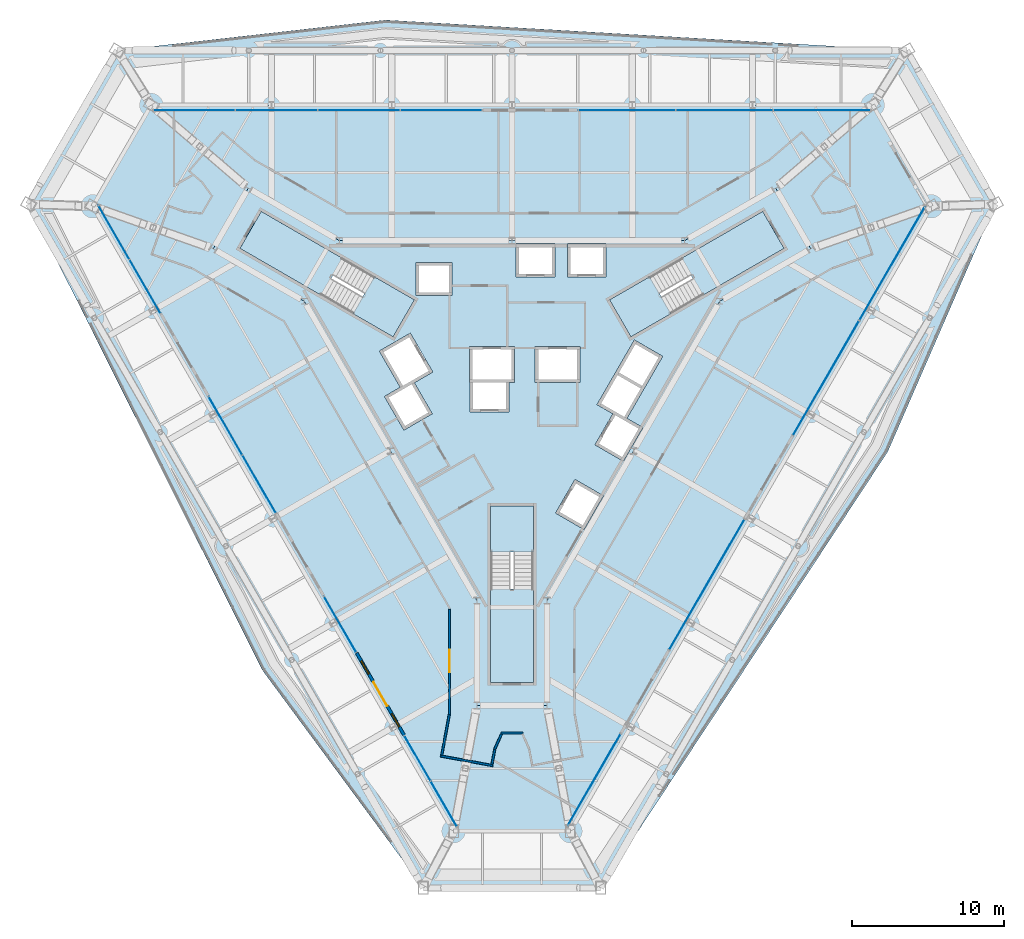
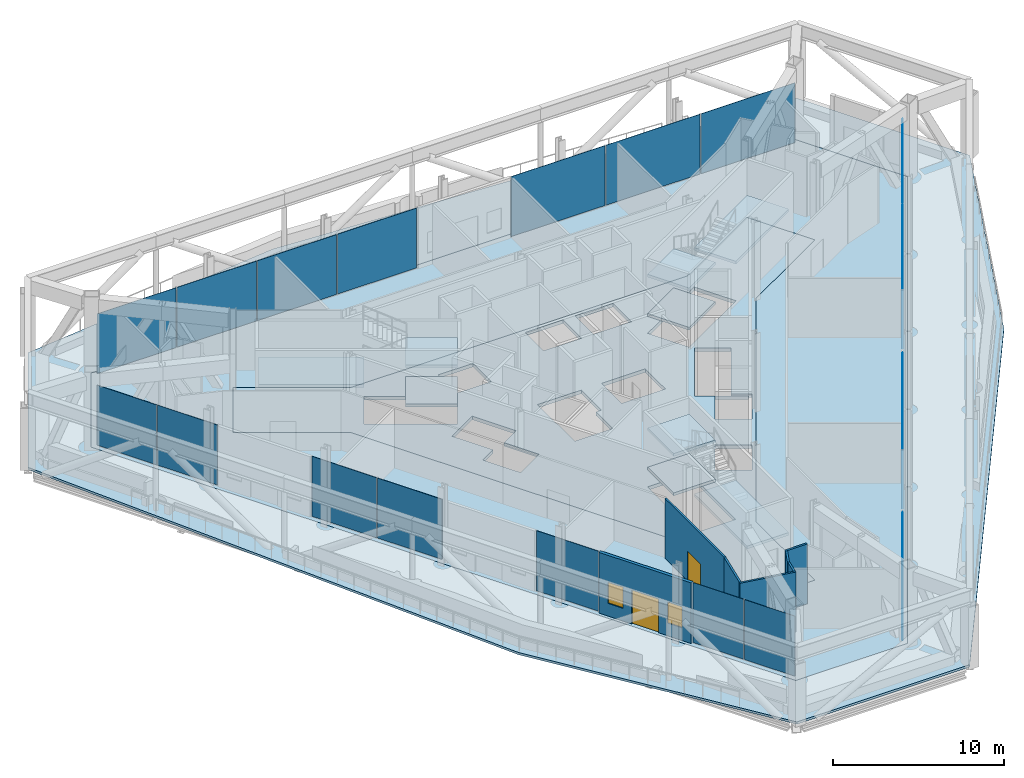
# One storey, part 15 of 26: 18 plates, 12 slabs, 7 walls, 2 doors, 2 windows, 4 openings, 12 elements without a shape of their own.
"""IFC4 building model written with IfcOpenShell, lengths in metres."""

from ifc_helpers import new_model, si_unit, direction, frame, frame_2d, origin, origin_2d, place, context, subcontext, project, spatial, polyline, rectangle, outline, extrude, material, layer, layer_set, type_object, element, fill, aggregate, save


model = new_model("IFC4")

# Units and contexts
model_context = context("Model", 3, precision=1e-05, world=origin(), true_north=direction((0.0, 1.0)))
body_context = subcontext(model_context, "Body", "Model", "MODEL_VIEW")
ifc_project = project(units=[si_unit("LENGTHUNIT", "METRE"), si_unit("AREAUNIT", "SQUARE_METRE"), si_unit("VOLUMEUNIT", "CUBIC_METRE"), si_unit("PLANEANGLEUNIT", "RADIAN"), si_unit("MASSUNIT", "GRAM", prefix="KILO")], contexts=[model_context])

# Site, building, storey
site_placement = place(None, origin())
site = spatial("IfcSite", under=ifc_project, at=site_placement, CompositionType="ELEMENT")
building_placement = place(site_placement, origin())
building = spatial("IfcBuilding", under=site, at=building_placement, Name="Verrane Prism Tower", CompositionType="ELEMENT")
storey_placement = place(building_placement, frame((0.0, 0.0, 87.199951171875)))
storey = spatial("IfcBuildingStorey", under=building, at=storey_placement, Name="L20", CompositionType="ELEMENT", Elevation=87.199951171875)

# Slabs
ifc_material_1 = material(Name="Concrete C35/45", Category="concrete")
ifc_layer_1 = layer(ifc_material_1, 0.159912109375)
ifc_layer_set_1 = layer_set([ifc_layer_1], Name="Composite floor slab")
slab_type_1 = type_object("IfcSlabType", Name="Composite floor slab", PredefinedType="FLOOR", material=ifc_layer_set_1)
slab_1_placement = place(storey_placement, frame((0.0, 0.0, -0.159912109375)))
element("IfcSlab", 1, at=slab_1_placement, inside=storey, type_object=slab_type_1, Name="Floor slab L20", PredefinedType="FLOOR", context=body_context, shape_type="SweptSolid", body=[
    extrude(outline(polyline([(-3.7685546875, -29.57470703125), (-27.496826171875, 11.523681640625), (-23.728271484375, 18.051025390625), (23.728271484375, 18.051025390625), (27.496826171875, 11.523681640625), (3.7685546875, -29.57470703125), (-3.7685546875, -29.57470703125)]), holes=[polyline([(17.300048828125, 12.639892578125), (11.330078125, 9.199951171875), (0.0, 9.199951171875), (-11.330078125, 9.199951171875), (-17.300048828125, 12.639892578125), (-19.60009765625, 8.659912109375), (-13.6298828125, 5.219970703125), (-7.969970703125, -4.60009765625), (-2.300048828125, -14.419921875), (-2.300048828125, -21.300048828125), (2.300048828125, -21.300048828125), (2.300048828125, -14.419921875), (7.969970703125, -4.60009765625), (13.6298828125, 5.219970703125), (19.60009765625, 8.659912109375), (17.300048828125, 12.639892578125)])]), origin(), (0.0, 0.0, 1.0), 0.159912109375),
])
ifc_material_2 = material(Name="Concrete C40/50", Category="concrete")
ifc_layer_2 = layer(ifc_material_2, 0.25)
ifc_layer_set_2 = layer_set([ifc_layer_2], Name="Core floor slab 250 concrete C40/50")
slab_type_2 = type_object("IfcSlabType", Name="Core floor slab 250 concrete C40/50", PredefinedType="FLOOR", material=ifc_layer_set_2)
slab_2_placement = place(storey_placement, frame((0.0, 0.0, -0.25)))
element("IfcSlab", 2, at=slab_2_placement, inside=storey, type_object=slab_type_2, Name="Core floor L20", PredefinedType="FLOOR", context=body_context, shape_type="SweptSolid", body=[
    extrude(outline(polyline([(13.6298828125, 5.219970703125), (19.60009765625, 8.659912109375), (17.300048828125, 12.639892578125), (11.330078125, 9.199951171875), (0.0, 9.199951171875), (-11.330078125, 9.199951171875), (-17.300048828125, 12.639892578125), (-19.60009765625, 8.659912109375), (-13.6298828125, 5.219970703125), (-7.969970703125, -4.60009765625), (-2.300048828125, -14.419921875), (-2.300048828125, -21.300048828125), (2.300048828125, -21.300048828125), (2.300048828125, -14.419921875), (7.969970703125, -4.60009765625), (13.6298828125, 5.219970703125)]), holes=[polyline([(1.39990234375, -8.199951171875), (1.39990234375, -13.639892578125), (-1.39990234375, -13.639892578125), (-1.39990234375, -8.199951171875), (1.39990234375, -8.199951171875)]), polyline([(0.1650390625, 2.25), (0.1650390625, -0.10009765625), (-0.205078125, -0.10009765625), (-0.205078125, -2.050048828125), (-2.7548828125, -2.050048828125), (-2.7548828125, -0.10009765625), (-2.784912109375, -0.10009765625), (-2.784912109375, 2.25), (0.1650390625, 2.25)]), polyline([(-7.801025390625, 2.887939453125), (-12.512939453125, 5.60791015625), (-11.113037109375, 8.031982421875), (-6.40087890625, 5.31201171875), (-7.801025390625, 2.887939453125)]), polyline([(-6.284912109375, 5.610107421875), (-6.284912109375, 7.760009765625), (-3.93505859375, 7.760009765625), (-3.93505859375, 5.610107421875), (-6.284912109375, 5.610107421875)]), polyline([(2.81494140625, 6.81005859375), (0.264892578125, 6.81005859375), (0.264892578125, 8.9599609375), (2.81494140625, 8.9599609375), (2.81494140625, 6.81005859375)]), polyline([(4.717041015625, -9.75), (2.85498046875, -8.675048828125), (4.1298828125, -6.466064453125), (5.991943359375, -7.541015625), (4.717041015625, -9.75)]), polyline([(8.303955078125, -3.136962890625), (5.575927734375, -1.56201171875), (8.02587890625, 2.680908203125), (9.887939453125, 1.60595703125), (7.5380859375, -2.464111328125), (8.576904296875, -3.06396484375), (7.302001953125, -5.27197265625), (5.43994140625, -4.197021484375), (6.614990234375, -2.162109375), (8.303955078125, -3.136962890625)]), polyline([(1.52490234375, -0.10009765625), (1.52490234375, 2.25), (4.47509765625, 2.25), (4.47509765625, -0.10009765625), (1.52490234375, -0.10009765625)]), polyline([(11.113037109375, 8.031982421875), (12.512939453125, 5.60791015625), (7.801025390625, 2.887939453125), (6.40087890625, 5.31201171875), (11.113037109375, 8.031982421875)]), polyline([(3.625, 6.81005859375), (3.625, 8.9599609375), (6.175048828125, 8.9599609375), (6.175048828125, 6.81005859375), (3.625, 6.81005859375)]), polyline([(-5.23095703125, -2.159912109375), (-7.093017578125, -3.235107421875), (-8.367919921875, -1.02587890625), (-7.3291015625, -0.426025390625), (-8.7041015625, 1.955078125), (-6.66796875, 3.1298828125), (-5.193115234375, 0.574951171875), (-6.406005859375, -0.125), (-5.23095703125, -2.159912109375)])]), origin(), (0.0, 0.0, 1.0), 0.25),
])

# Curtain wall, plates
ifc_material_3 = material(Name="Aluminium framed insulated glazing", Category="aluminium")
curtain_wall_type_1 = type_object("IfcCurtainWallType", Name="Curtain wall CW-C 4200 module", PredefinedType="NOTDEFINED", material=ifc_material_3)
curtain_wall_1_placement = place(storey_placement, origin())
curtain_wall_1 = element("IfcCurtainWall", 3, at=curtain_wall_1_placement, inside=storey, type_object=curtain_wall_type_1, Name="Refuge lounge glazing south-west face L20 1", PredefinedType="NOTDEFINED")
ifc_material_4 = material(Name="Low-iron insulating glass unit", Category="glass")
ifc_layer_3 = layer(ifc_material_4, 0.02392578125)
ifc_layer_set_3 = layer_set([ifc_layer_3], Name="Glazing panel IGU 24")
plate_type_1 = type_object("IfcPlateType", Name="Glazing panel IGU 24", PredefinedType="CURTAIN_PANEL", material=ifc_layer_set_3)
plate_1_placement = place(storey_placement, frame((-26.11572265625, 9.731689453125, 0.050048828125), z_axis=(0.0, 0.0, 1.0), x_axis=(0.500001968757, -0.866024267119, 0.0)))
plate_1 = element("IfcPlate", 4, at=plate_1_placement, type_object=plate_type_1, Name="CW20.4.1 panel 1", PredefinedType="CURTAIN_PANEL", context=body_context, shape_type="SweptSolid", body=[
    extrude(rectangle(XDim=4.03857421875, YDim=0.02392578125, at=origin_2d()), origin(), (0.0, 0.0, 1.0), 4.2724609375),
])
plate_2_placement = place(storey_placement, frame((-24.0712890625, 6.19091796875, 0.050048828125), z_axis=(0.0, 0.0, 1.0), x_axis=(0.500001968757, -0.866024267119, 0.0)))
plate_2 = element("IfcPlate", 5, at=plate_2_placement, type_object=plate_type_1, Name="CW20.4.1 panel 2", PredefinedType="CURTAIN_PANEL", context=body_context, shape_type="SweptSolid", body=[
    extrude(rectangle(XDim=4.03857421875, YDim=0.02392578125, at=origin_2d()), origin(), (0.0, 0.0, 1.0), 4.2724609375),
])
aggregate(curtain_wall_1, [plate_1, plate_2])

curtain_wall_2_placement = place(storey_placement, origin())
curtain_wall_2 = element("IfcCurtainWall", 6, at=curtain_wall_2_placement, inside=storey, type_object=curtain_wall_type_1, Name="Refuge lounge glazing south-west face L20 2", PredefinedType="NOTDEFINED")
plate_3_placement = place(storey_placement, frame((-18.79248046875, -2.95263671875, 0.050048828125), z_axis=(0.0, 0.0, 1.0), x_axis=(0.499998475697, -0.866026283839, 0.0)))
plate_3 = element("IfcPlate", 7, at=plate_3_placement, type_object=plate_type_1, Name="CW20.4.2 panel 1", PredefinedType="CURTAIN_PANEL", context=body_context, shape_type="SweptSolid", body=[
    extrude(rectangle(XDim=4.357421875, YDim=0.02392578125, at=origin_2d()), origin(), (0.0, 0.0, 1.0), 4.2724609375),
])
plate_4_placement = place(storey_placement, frame((-16.588623046875, -6.76953125, 0.050048828125), z_axis=(0.0, 0.0, 1.0), x_axis=(0.499998475697, -0.866026283839, 0.0)))
plate_4 = element("IfcPlate", 8, at=plate_4_placement, type_object=plate_type_1, Name="CW20.4.2 panel 2", PredefinedType="CURTAIN_PANEL", context=body_context, shape_type="SweptSolid", body=[
    extrude(rectangle(XDim=4.357421875, YDim=0.02392578125, at=origin_2d()), origin(), (0.0, 0.0, 1.0), 4.2724609375),
])
aggregate(curtain_wall_2, [plate_3, plate_4])

# Curtain wall, plate
curtain_wall_3_placement = place(storey_placement, origin())
curtain_wall_3 = element("IfcCurtainWall", 9, at=curtain_wall_3_placement, inside=storey, type_object=curtain_wall_type_1, Name="Refuge lounge glazing south-west face L20 3", PredefinedType="NOTDEFINED")
plate_5_placement = place(storey_placement, frame((-11.273681640625, -15.9755859375, 0.050048828125), z_axis=(0.0, 0.0, 1.0), x_axis=(0.499995957157, -0.866027737909, 0.0)))
plate_5 = element("IfcPlate", 10, at=plate_5_placement, type_object=plate_type_1, Name="CW20.4.3 panel 1", PredefinedType="CURTAIN_PANEL", context=body_context, shape_type="SweptSolid", body=[
    extrude(rectangle(XDim=4.183349609375, YDim=0.02392578125, at=origin_2d()), origin(), (0.0, 0.0, 1.0), 4.2724609375),
])
aggregate(curtain_wall_3, [plate_5])

# Curtain wall, plates
curtain_wall_4_placement = place(storey_placement, origin())
curtain_wall_4 = element("IfcCurtainWall", 11, at=curtain_wall_4_placement, inside=storey, type_object=curtain_wall_type_1, Name="Refuge lounge glazing south-west face L20 4", PredefinedType="NOTDEFINED")
plate_6_placement = place(storey_placement, frame((-6.197265625, -24.768310546875, 0.050048828125), z_axis=(0.0, 0.0, 1.0), x_axis=(0.500000416101, -0.866025163548, 0.0)))
plate_6 = element("IfcPlate", 12, at=plate_6_placement, type_object=plate_type_1, Name="CW20.4.4 panel 1", PredefinedType="CURTAIN_PANEL", context=body_context, shape_type="SweptSolid", body=[
    extrude(rectangle(XDim=3.402587890625, YDim=0.02392578125, at=origin_2d()), origin(), (0.0, 0.0, 1.0), 4.2724609375),
])
plate_7_placement = place(storey_placement, frame((-4.470947265625, -27.758056640625, 0.050048828125), z_axis=(0.0, 0.0, 1.0), x_axis=(0.500000416101, -0.866025163548, 0.0)))
plate_7 = element("IfcPlate", 13, at=plate_7_placement, type_object=plate_type_1, Name="CW20.4.4 panel 2", PredefinedType="CURTAIN_PANEL", context=body_context, shape_type="SweptSolid", body=[
    extrude(rectangle(XDim=3.402587890625, YDim=0.02392578125, at=origin_2d()), origin(), (0.0, 0.0, 1.0), 4.2724609375),
])
aggregate(curtain_wall_4, [plate_6, plate_7])

ifc_material_5 = material(Name="Aluminium framed insulated glazing", Category="aluminium")
curtain_wall_type_2 = type_object("IfcCurtainWallType", Name="Curtain wall CW-B 5600 module", PredefinedType="NOTDEFINED", material=ifc_material_5)
curtain_wall_5_placement = place(storey_placement, origin())
curtain_wall_5 = element("IfcCurtainWall", 14, at=curtain_wall_5_placement, inside=storey, type_object=curtain_wall_type_2, Name="Refuge lounge glazing north face L20 1", PredefinedType="NOTDEFINED")
ifc_material_6 = material(Name="Low-iron insulating glass unit", Category="glass")
ifc_layer_4 = layer(ifc_material_6, 0.028076171875)
ifc_layer_set_4 = layer_set([ifc_layer_4], Name="Glazing panel IGU 28")
plate_type_2 = type_object("IfcPlateType", Name="Glazing panel IGU 28", PredefinedType="CURTAIN_PANEL", material=ifc_layer_set_4)
plate_8_placement = place(storey_placement, frame((20.3359375, 17.7509765625, 0.06005859375), z_axis=(0.0, 0.0, 1.0), x_axis=(-1.0, 0.0, 0.0)))
plate_8 = element("IfcPlate", 15, at=plate_8_placement, type_object=plate_type_2, Name="CW20.2.1 panel 1", PredefinedType="CURTAIN_PANEL", context=body_context, shape_type="SweptSolid", body=[
    extrude(rectangle(XDim=6.318359375, YDim=0.028076171875, at=origin_2d()), origin(), (0.0, 0.0, 1.0), 4.262451171875),
])
plate_9_placement = place(storey_placement, frame((13.942626953125, 17.7509765625, 0.06005859375), z_axis=(0.0, 0.0, 1.0), x_axis=(-1.0, 0.0, 0.0)))
plate_9 = element("IfcPlate", 16, at=plate_9_placement, type_object=plate_type_2, Name="CW20.2.1 panel 2", PredefinedType="CURTAIN_PANEL", context=body_context, shape_type="SweptSolid", body=[
    extrude(rectangle(XDim=6.348388671875, YDim=0.028076171875, at=origin_2d()), origin(), (0.0, 0.0, 1.0), 4.262451171875),
])
plate_10_placement = place(storey_placement, frame((7.549072265625, 17.7509765625, 0.06005859375), z_axis=(0.0, 0.0, 1.0), x_axis=(-1.0, 0.0, 0.0)))
plate_10 = element("IfcPlate", 17, at=plate_10_placement, type_object=plate_type_2, Name="CW20.2.1 panel 3", PredefinedType="CURTAIN_PANEL", context=body_context, shape_type="SweptSolid", body=[
    extrude(rectangle(XDim=6.318359375, YDim=0.028076171875, at=origin_2d()), origin(), (0.0, 0.0, 1.0), 4.262451171875),
])
aggregate(curtain_wall_5, [plate_8, plate_9, plate_10])

curtain_wall_6_placement = place(storey_placement, origin())
curtain_wall_6 = element("IfcCurtainWall", 18, at=curtain_wall_6_placement, inside=storey, type_object=curtain_wall_type_2, Name="Refuge lounge glazing north face L20 2", PredefinedType="NOTDEFINED")
plate_11_placement = place(storey_placement, frame((-4.648193359375, 17.7509765625, 0.06005859375), z_axis=(0.0, 0.0, 1.0), x_axis=(-1.0, 0.0, 0.0)))
plate_11 = element("IfcPlate", 19, at=plate_11_placement, type_object=plate_type_2, Name="CW20.2.2 panel 1", PredefinedType="CURTAIN_PANEL", context=body_context, shape_type="SweptSolid", body=[
    extrude(rectangle(XDim=5.316162109375, YDim=0.028076171875, at=origin_2d()), origin(), (0.0, 0.0, 1.0), 4.262451171875),
])
plate_12_placement = place(storey_placement, frame((-10.039306640625, 17.7509765625, 0.06005859375), z_axis=(0.0, 0.0, 1.0), x_axis=(-1.0, 0.0, 0.0)))
plate_12 = element("IfcPlate", 20, at=plate_12_placement, type_object=plate_type_2, Name="CW20.2.2 panel 2", PredefinedType="CURTAIN_PANEL", context=body_context, shape_type="SweptSolid", body=[
    extrude(rectangle(XDim=5.34619140625, YDim=0.028076171875, at=origin_2d()), origin(), (0.0, 0.0, 1.0), 4.262451171875),
])
plate_13_placement = place(storey_placement, frame((-15.44580078125, 17.7509765625, 0.06005859375), z_axis=(0.0, 0.0, 1.0), x_axis=(-1.0, 0.0, 0.0)))
plate_13 = element("IfcPlate", 21, at=plate_13_placement, type_object=plate_type_2, Name="CW20.2.2 panel 3", PredefinedType="CURTAIN_PANEL", context=body_context, shape_type="SweptSolid", body=[
    extrude(rectangle(XDim=5.34619140625, YDim=0.028076171875, at=origin_2d()), origin(), (0.0, 0.0, 1.0), 4.262451171875),
])
plate_14_placement = place(storey_placement, frame((-20.8369140625, 17.7509765625, 0.06005859375), z_axis=(0.0, 0.0, 1.0), x_axis=(-1.0, 0.0, 0.0)))
plate_14 = element("IfcPlate", 22, at=plate_14_placement, type_object=plate_type_2, Name="CW20.2.2 panel 4", PredefinedType="CURTAIN_PANEL", context=body_context, shape_type="SweptSolid", body=[
    extrude(rectangle(XDim=5.316162109375, YDim=0.028076171875, at=origin_2d()), origin(), (0.0, 0.0, 1.0), 4.262451171875),
])
aggregate(curtain_wall_6, [plate_11, plate_12, plate_13, plate_14])

# Curtain wall, plate
ifc_material_7 = material(Name="Aluminium framed insulated glazing", Category="aluminium")
curtain_wall_type_3 = type_object("IfcCurtainWallType", Name="Curtain wall CW-A 8400 module", PredefinedType="NOTDEFINED", material=ifc_material_7)
curtain_wall_7_placement = place(storey_placement, origin())
curtain_wall_7 = element("IfcCurtainWall", 23, at=curtain_wall_7_placement, inside=storey, type_object=curtain_wall_type_3, Name="Refuge lounge glazing south-east face L20 1", PredefinedType="NOTDEFINED")
ifc_material_8 = material(Name="Low-iron insulating glass unit", Category="glass")
ifc_layer_5 = layer(ifc_material_8, 0.031982421875)
ifc_layer_set_5 = layer_set([ifc_layer_5], Name="Glazing panel IGU 32")
plate_type_3 = type_object("IfcPlateType", Name="Glazing panel IGU 32", PredefinedType="CURTAIN_PANEL", material=ifc_layer_set_5)
plate_15_placement = place(storey_placement, frame((5.372802734375, -26.1962890625, 0.070068359375), z_axis=(0.0, 0.0, 1.0), x_axis=(0.500005737989, 0.86602209093, 0.0)))
plate_15 = element("IfcPlate", 24, at=plate_15_placement, type_object=plate_type_3, Name="CW20.6.1 panel 1", PredefinedType="CURTAIN_PANEL", context=body_context, shape_type="SweptSolid", body=[
    extrude(rectangle(XDim=6.969482421875, YDim=0.031982421875, at=origin_2d()), origin(), (0.0, 0.0, 1.0), 4.25244140625),
])
aggregate(curtain_wall_7, [plate_15])

curtain_wall_8_placement = place(storey_placement, origin())
curtain_wall_8 = element("IfcCurtainWall", 25, at=curtain_wall_8_placement, inside=storey, type_object=curtain_wall_type_3, Name="Refuge lounge glazing south-east face L20 2", PredefinedType="NOTDEFINED")
plate_16_placement = place(storey_placement, frame((12.77587890625, -13.37353515625, 0.070068359375), z_axis=(0.0, 0.0, 1.0), x_axis=(0.500003383835, 0.866023450117, 0.0)))
plate_16 = element("IfcPlate", 26, at=plate_16_placement, type_object=plate_type_3, Name="CW20.6.2 panel 1", PredefinedType="CURTAIN_PANEL", context=body_context, shape_type="SweptSolid", body=[
    extrude(rectangle(XDim=9.84326171875, YDim=0.031982421875, at=origin_2d()), origin(), (0.0, 0.0, 1.0), 4.25244140625),
])
aggregate(curtain_wall_8, [plate_16])

# Curtain wall, plates
curtain_wall_9_placement = place(storey_placement, origin())
curtain_wall_9 = element("IfcCurtainWall", 27, at=curtain_wall_9_placement, inside=storey, type_object=curtain_wall_type_3, Name="Refuge lounge glazing south-east face L20 3", PredefinedType="NOTDEFINED")
plate_17_placement = place(storey_placement, frame((20.59765625, 0.174072265625, 0.070068359375), z_axis=(0.0, 0.0, 1.0), x_axis=(0.499998012664, 0.86602655117, 0.0)))
plate_17 = element("IfcPlate", 28, at=plate_17_placement, type_object=plate_type_3, Name="CW20.6.3 panel 1", PredefinedType="CURTAIN_PANEL", context=body_context, shape_type="SweptSolid", body=[
    extrude(rectangle(XDim=8.6435546875, YDim=0.031982421875, at=origin_2d()), origin(), (0.0, 0.0, 1.0), 4.25244140625),
])
plate_18_placement = place(storey_placement, frame((24.95458984375, 7.720458984375, 0.070068359375), z_axis=(0.0, 0.0, 1.0), x_axis=(0.499998012664, 0.86602655117, 0.0)))
plate_18 = element("IfcPlate", 29, at=plate_18_placement, type_object=plate_type_3, Name="CW20.6.3 panel 2", PredefinedType="CURTAIN_PANEL", context=body_context, shape_type="SweptSolid", body=[
    extrude(rectangle(XDim=8.6435546875, YDim=0.031982421875, at=origin_2d()), origin(), (0.0, 0.0, 1.0), 4.25244140625),
])
aggregate(curtain_wall_9, [plate_17, plate_18])

# Slab
ifc_material_9 = material(Name="Concrete C35/45", Category="concrete")
ifc_layer_6 = layer(ifc_material_9, 0.159912109375)
ifc_layer_set_6 = layer_set([ifc_layer_6], Name="Refuge terrace slab")
slab_type_3 = type_object("IfcSlabType", Name="Refuge terrace slab", PredefinedType="FLOOR", material=ifc_layer_set_6)
slab_3_placement = place(storey_placement, frame((0.0, 0.0, -0.159912109375)))
element("IfcSlab", 30, at=slab_3_placement, inside=storey, type_object=slab_type_3, Name="Refuge terrace slab L20", PredefinedType="FLOOR", context=body_context, shape_type="SweptSolid", body=[
    extrude(outline(polyline([(5.819091796875, -33.26123046875), (-5.819091796875, -33.26123046875), (-16.35546875, -19.011474609375), (-31.714599609375, 11.59130859375), (-25.8955078125, 21.669921875), (-8.28662109375, 23.669921875), (25.8955078125, 21.669921875), (31.714599609375, 11.59130859375), (24.64208984375, -4.65869140625), (5.819091796875, -33.26123046875)]), holes=[polyline([(27.496826171875, 11.523681640625), (23.728271484375, 18.051025390625), (-23.728271484375, 18.051025390625), (-27.496826171875, 11.523681640625), (-3.7685546875, -29.57470703125), (3.7685546875, -29.57470703125), (27.496826171875, 11.523681640625)])]), origin(), (0.0, 0.0, 1.0), 0.159912109375),
])

# Stair, slabs
ifc_material_10 = material(Name="Concrete C40/50", Category="concrete")
stair_type = type_object("IfcStairType", Name="Exit stair 1300 dog-leg precast concrete C40/50", PredefinedType="HALF_TURN_STAIR", material=ifc_material_10)
stair_1_placement = place(storey_placement, origin())
stair_1 = element("IfcStair", 31, at=stair_1_placement, inside=storey, type_object=stair_type, Name="Stair 1 L20", PredefinedType="HALF_TURN_STAIR")
ifc_material_11 = material(Name="Concrete C40/50", Category="concrete")
ifc_layer_7 = layer(ifc_material_11, 0.199951171875)
ifc_layer_set_7 = layer_set([ifc_layer_7], Name="Stair landing 200 precast concrete C40/50")
slab_type_4 = type_object("IfcSlabType", Name="Stair landing 200 precast concrete C40/50", PredefinedType="LANDING", material=ifc_layer_set_7)
slab_4_placement = place(storey_placement, frame((0.0, 0.0, 1.199951171875)))
slab_4 = element("IfcSlab", 32, at=slab_4_placement, type_object=slab_type_4, Name="Stair 1 landing 1", PredefinedType="LANDING", context=body_context, shape_type="SweptSolid", body=[
    extrude(outline(polyline([(9.0341796875, 6.83251953125), (6.4013671875, 5.3125), (7.801513671875, 2.887451171875), (10.43408203125, 4.407470703125), (9.0341796875, 6.83251953125)])), origin(), (0.0, 0.0, 1.0), 0.2001953125),
])
slab_5_placement = place(storey_placement, frame((0.0, 0.0, 2.60009765625)))
slab_5 = element("IfcSlab", 33, at=slab_5_placement, type_object=slab_type_4, Name="Stair 1 landing 2", PredefinedType="LANDING", context=body_context, shape_type="SweptSolid", body=[
    extrude(outline(polyline([(16.447265625, 11.112548828125), (11.112548828125, 8.032470703125), (12.5126953125, 5.607666015625), (17.847412109375, 8.6875), (16.447265625, 11.112548828125)])), origin(), (0.0, 0.0, 1.0), 0.199951171875),
])
slab_6_placement = place(storey_placement, frame((0.0, 0.0, 4.0)))
slab_6 = element("IfcSlab", 34, at=slab_6_placement, type_object=slab_type_4, Name="Stair 1 landing 3", PredefinedType="LANDING", context=body_context, shape_type="SweptSolid", body=[
    extrude(outline(polyline([(9.0341796875, 6.83251953125), (6.4013671875, 5.3125), (7.801513671875, 2.887451171875), (10.43408203125, 4.407470703125), (9.0341796875, 6.83251953125)])), origin(), (0.0, 0.0, 1.0), 0.199951171875),
])
aggregate(stair_1, [slab_4, slab_5, slab_6])

stair_2_placement = place(storey_placement, origin())
stair_2 = element("IfcStair", 35, at=stair_2_placement, inside=storey, type_object=stair_type, Name="Stair 2 L20", PredefinedType="HALF_TURN_STAIR")
slab_7_placement = place(storey_placement, frame((0.0, 0.0, 1.199951171875)))
slab_7 = element("IfcSlab", 36, at=slab_7_placement, type_object=slab_type_4, Name="Stair 2 landing 1", PredefinedType="LANDING", context=body_context, shape_type="SweptSolid", body=[
    extrude(outline(polyline([(-10.43408203125, 4.407470703125), (-7.801513671875, 2.887451171875), (-6.4013671875, 5.3125), (-9.0341796875, 6.83251953125), (-10.43408203125, 4.407470703125)])), origin(), (0.0, 0.0, 1.0), 0.2001953125),
])
slab_8_placement = place(storey_placement, frame((0.0, 0.0, 2.60009765625)))
slab_8 = element("IfcSlab", 37, at=slab_8_placement, type_object=slab_type_4, Name="Stair 2 landing 2", PredefinedType="LANDING", context=body_context, shape_type="SweptSolid", body=[
    extrude(outline(polyline([(-17.84716796875, 8.6875), (-12.5126953125, 5.607666015625), (-11.112548828125, 8.032470703125), (-16.447265625, 11.1123046875), (-17.84716796875, 8.6875)])), origin(), (0.0, 0.0, 1.0), 0.199951171875),
])
slab_9_placement = place(storey_placement, frame((0.0, 0.0, 4.0)))
slab_9 = element("IfcSlab", 38, at=slab_9_placement, type_object=slab_type_4, Name="Stair 2 landing 3", PredefinedType="LANDING", context=body_context, shape_type="SweptSolid", body=[
    extrude(outline(polyline([(-10.43408203125, 4.407470703125), (-7.801513671875, 2.887451171875), (-6.4013671875, 5.3125), (-9.0341796875, 6.83251953125), (-10.43408203125, 4.407470703125)])), origin(), (0.0, 0.0, 1.0), 0.199951171875),
])
aggregate(stair_2, [slab_7, slab_8, slab_9])

stair_3_placement = place(storey_placement, origin())
stair_3 = element("IfcStair", 39, at=stair_3_placement, inside=storey, type_object=stair_type, Name="Stair 3 L20", PredefinedType="HALF_TURN_STAIR")
slab_10_placement = place(storey_placement, frame((0.0, 0.0, 1.199951171875)))
slab_10 = element("IfcSlab", 40, at=slab_10_placement, type_object=slab_type_4, Name="Stair 3 landing 1", PredefinedType="LANDING", context=body_context, shape_type="SweptSolid", body=[
    extrude(outline(polyline([(1.39990234375, -11.239990234375), (1.39990234375, -8.199951171875), (-1.39990234375, -8.199951171875), (-1.39990234375, -11.239990234375), (1.39990234375, -11.239990234375)])), origin(), (0.0, 0.0, 1.0), 0.2001953125),
])
slab_11_placement = place(storey_placement, frame((0.0, 0.0, 2.60009765625)))
slab_11 = element("IfcSlab", 41, at=slab_11_placement, type_object=slab_type_4, Name="Stair 3 landing 2", PredefinedType="LANDING", context=body_context, shape_type="SweptSolid", body=[
    extrude(outline(polyline([(1.39990234375, -19.800048828125), (1.39990234375, -13.639892578125), (-1.39990234375, -13.639892578125), (-1.39990234375, -19.800048828125), (1.39990234375, -19.800048828125)])), origin(), (0.0, 0.0, 1.0), 0.199951171875),
])
slab_12_placement = place(storey_placement, frame((0.0, 0.0, 4.0)))
slab_12 = element("IfcSlab", 42, at=slab_12_placement, type_object=slab_type_4, Name="Stair 3 landing 3", PredefinedType="LANDING", context=body_context, shape_type="SweptSolid", body=[
    extrude(outline(polyline([(1.39990234375, -11.239990234375), (1.39990234375, -8.199951171875), (-1.39990234375, -8.199951171875), (-1.39990234375, -11.239990234375), (1.39990234375, -11.239990234375)])), origin(), (0.0, 0.0, 1.0), 0.199951171875),
])
aggregate(stair_3, [slab_10, slab_11, slab_12])

# Walls
ifc_material_12 = material(Name="Gypsum board partition", Category="other")
ifc_layer_8 = layer(ifc_material_12, 0.125)
ifc_layer_set_8 = layer_set([ifc_layer_8], Name="PW-125 corridor wall 1 h")
wall_type_1 = type_object("IfcWallType", Name="PW-125 corridor wall 1 h", PredefinedType="PARTITIONING", material=ifc_layer_set_8)
wall_1_placement = place(storey_placement, frame((-4.608154296875, -24.55712890625, 0.0), z_axis=(0.0, 0.0, 1.0), x_axis=(0.182832825261, 0.983144016921, 0.0)))
element("IfcWall", 43, at=wall_1_placement, inside=storey, type_object=wall_type_1, Name="Corridor wall 020", PredefinedType="PARTITIONING", context=body_context, shape_type="SweptSolid", body=[
    extrude(rectangle(XDim=2.7041015625, YDim=0.125, at=frame_2d((1.35205078125, 0.0))), origin(), (0.0, 0.0, 1.0), 4.261962890625),
])
wall_2_placement = place(storey_placement, frame((-4.681396484375, -24.609619140625, 0.0), z_axis=(0.0, 0.0, 1.0), x_axis=(0.983318803828, -0.181890434158, 0.0)))
element("IfcWall", 44, at=wall_2_placement, inside=storey, type_object=wall_type_1, Name="Corridor wall 021", PredefinedType="PARTITIONING", context=body_context, shape_type="SweptSolid", body=[
    extrude(rectangle(XDim=3.4736328125, YDim=0.125, at=frame_2d((1.73681640625, 0.0))), origin(), (0.0, 0.0, 1.0), 4.261962890625),
])

# Wall, opening, door
wall_3_placement = place(storey_placement, frame((-4.10009765625, -21.887451171875, 0.0), z_axis=(0.0, 0.0, 1.0), x_axis=(0.0, 1.0, 0.0)))
wall_3 = element("IfcWall", 45, at=wall_3_placement, inside=storey, type_object=wall_type_1, Name="Corridor wall 022", PredefinedType="PARTITIONING", context=body_context, shape_type="SweptSolid", body=[
    extrude(rectangle(XDim=6.900390625, YDim=0.125, at=frame_2d((3.4501953125, 0.0))), origin(), (0.0, 0.0, 1.0), 4.261962890625),
])
opening_1_placement = place(wall_3_placement, frame((2.762451171875, 0.0, 0.0)))
opening_1 = element("IfcOpeningElement", 46, at=opening_1_placement, cuts=wall_3, Name="Opening D20008", PredefinedType="OPENING", context=body_context, shape_type="SweptSolid", body=[
    extrude(rectangle(XDim=1.5, YDim=2.10009765625, at=frame_2d((0.75, 1.050048828125))), frame((0.0, 0.072509765625, 0.0), z_axis=(0.0, -1.0, 0.0), x_axis=(1.0, 0.0, 0.0)), (0.0, 0.0, 1.0), 0.14501953125),
])
ifc_material_13 = material(Name="Timber veneered door leaf", Category="wood")
door_type_1 = type_object("IfcDoorType", Name="DR-1500x2100 FD60 double leaf unit", OperationType="NOTDEFINED", PredefinedType="DOOR", material=ifc_material_13)
door_1_placement = place(opening_1_placement, origin())
door_1 = element("IfcDoor", 47, at=door_1_placement, inside=storey, type_object=door_type_1, Name="Refuge Area door", OperationType="DOUBLE_DOOR_SINGLE_SWING", OverallHeight=2.10009765625, OverallWidth=1.5, PredefinedType="DOOR", context=body_context, shape_type="SweptSolid", body=[
    extrude(rectangle(XDim=1.5, YDim=2.10009765625, at=frame_2d((0.75, 1.050048828125))), frame((0.0, 0.02490234375, 0.0), z_axis=(0.0, -1.0, 0.0), x_axis=(1.0, 0.0, 0.0)), (0.0, 0.0, 1.0), 0.050048828125),
])
fill(opening_1, door_1)

# Walls
wall_4_placement = place(storey_placement, frame((-1.315185546875, -25.166015625, 0.0), z_axis=(0.0, 0.0, 1.0), x_axis=(0.182733726002, 0.983162440994, 0.0)))
element("IfcWall", 48, at=wall_4_placement, inside=storey, type_object=wall_type_1, Name="Corridor wall 023", PredefinedType="PARTITIONING", context=body_context, shape_type="SweptSolid", body=[
    extrude(rectangle(XDim=0.9765625, YDim=0.125, at=frame_2d((0.48828125, 0.0))), origin(), (0.0, 0.0, 1.0), 4.261962890625),
])
wall_5_placement = place(storey_placement, frame((-1.148681640625, -24.18896484375, 0.0), z_axis=(0.0, 0.0, 1.0), x_axis=(0.410747208264, 0.911749269757, 0.0)))
element("IfcWall", 49, at=wall_5_placement, inside=storey, type_object=wall_type_1, Name="Corridor wall 025", PredefinedType="PARTITIONING", context=body_context, shape_type="SweptSolid", body=[
    extrude(rectangle(XDim=1.114501953125, YDim=0.125, at=frame_2d((0.55712890625, 0.0))), origin(), (0.0, 0.0, 1.0), 4.261962890625),
])
wall_6_placement = place(storey_placement, frame((-0.720458984375, -23.10009765625, 0.0), z_axis=(0.0, 0.0, 1.0), x_axis=(1.0, 0.0, 0.0)))
element("IfcWall", 50, at=wall_6_placement, inside=storey, type_object=wall_type_1, Name="Corridor wall 027", PredefinedType="PARTITIONING", context=body_context, shape_type="SweptSolid", body=[
    extrude(rectangle(XDim=1.44091796875, YDim=0.125, at=frame_2d((0.720458984375, 0.0))), origin(), (0.0, 0.0, 1.0), 4.261962890625),
])

# Wall, openings, door, windows
ifc_material_14 = material(Name="Aluminium framed insulated glazing", Category="aluminium")
ifc_layer_9 = layer(ifc_material_14, 0.199951171875)
ifc_layer_set_9 = layer_set([ifc_layer_9], Name="Refuge screen wall 200")
wall_type_2 = type_object("IfcWallType", Name="Refuge screen wall 200", PredefinedType="SOLIDWALL", material=ifc_layer_set_9)
wall_7_placement = place(storey_placement, frame((-10.187744140625, -17.856201171875, 0.0), z_axis=(0.0, 0.0, 1.0), x_axis=(0.49998037582, -0.866036733513, 0.0)))
wall_7 = element("IfcWall", 51, at=wall_7_placement, inside=storey, type_object=wall_type_2, Name="Refuge screen wall south-west face L20", PredefinedType="SOLIDWALL", context=body_context, shape_type="SweptSolid", body=[
    extrude(rectangle(XDim=6.199951171875, YDim=0.199951171875, at=frame_2d((3.10009765625, 0.0))), origin(), (0.0, 0.0, 1.0), 4.322509765625),
])
opening_2_placement = place(wall_7_placement, frame((0.60009765625, 0.0, 0.89990234375)))
opening_2 = element("IfcOpeningElement", 52, at=opening_2_placement, cuts=wall_7, Name="Opening W20707", PredefinedType="OPENING", context=body_context, shape_type="SweptSolid", body=[
    extrude(rectangle(XDim=1.0, YDim=1.5, at=frame_2d((0.5, 0.75))), frame((0.0, 0.10986328125, 0.0), z_axis=(0.0, -1.0, 0.0), x_axis=(1.0, 0.0, 0.0)), (0.0, 0.0, 1.0), 0.219970703125),
])
opening_3_placement = place(wall_7_placement, frame((2.199951171875, 0.0, 0.0)))
opening_3 = element("IfcOpeningElement", 53, at=opening_3_placement, cuts=wall_7, Name="Opening D20705", PredefinedType="OPENING", context=body_context, shape_type="SweptSolid", body=[
    extrude(rectangle(XDim=1.800048828125, YDim=2.39990234375, at=frame_2d((0.89990234375, 1.199951171875))), frame((0.0, 0.10986328125, 0.0), z_axis=(0.0, -1.0, 0.0), x_axis=(1.0, 0.0, 0.0)), (0.0, 0.0, 1.0), 0.219970703125),
])
opening_4_placement = place(wall_7_placement, frame((4.60009765625, 0.0, 0.89990234375)))
opening_4 = element("IfcOpeningElement", 54, at=opening_4_placement, cuts=wall_7, Name="Opening W20708", PredefinedType="OPENING", context=body_context, shape_type="SweptSolid", body=[
    extrude(rectangle(XDim=1.0, YDim=1.5, at=frame_2d((0.5, 0.75))), frame((0.0, 0.10986328125, 0.0), z_axis=(0.0, -1.0, 0.0), x_axis=(1.0, 0.0, 0.0)), (0.0, 0.0, 1.0), 0.219970703125),
])
ifc_material_15 = material(Name="Aluminium framed glazing", Category="aluminium")
door_type_2 = type_object("IfcDoorType", Name="DR-1800x2400 double glazed garden door", OperationType="DOUBLE_DOOR_SINGLE_SWING", PredefinedType="DOOR", material=ifc_material_15)
door_2_placement = place(opening_3_placement, frame((1.800048828125, 0.0, 0.0), z_axis=(0.0, 0.0, 1.0), x_axis=(-1.0, 0.0, 0.0)))
door_2 = element("IfcDoor", 55, at=door_2_placement, inside=storey, type_object=door_type_2, Name="Refuge terrace door D20705", OperationType="DOUBLE_DOOR_SINGLE_SWING", OverallHeight=2.39990234375, OverallWidth=1.800048828125, PredefinedType="DOOR", context=body_context, shape_type="SweptSolid", body=[
    extrude(rectangle(XDim=1.800048828125, YDim=2.39990234375, at=frame_2d((0.89990234375, 1.199951171875))), frame((0.0, 0.02490234375, 0.0), z_axis=(0.0, -1.0, 0.0), x_axis=(1.0, 0.0, 0.0)), (0.0, 0.0, 1.0), 0.050048828125),
])
fill(opening_3, door_2)
ifc_material_16 = material(Name="Aluminium framed glazing", Category="aluminium")
window_type = type_object("IfcWindowType", Name="Vent window 1000x1500 top hung", PartitioningType="SINGLE_PANEL", PredefinedType="WINDOW", material=ifc_material_16)
window_1_placement = place(opening_2_placement, origin())
window_1 = element("IfcWindow", 56, at=window_1_placement, inside=storey, type_object=window_type, Name="Vent window W20707", OverallHeight=1.5, OverallWidth=1.0, PartitioningType="SINGLE_PANEL", PredefinedType="WINDOW", context=body_context, shape_type="SweptSolid", body=[
    extrude(rectangle(XDim=1.0, YDim=1.5, at=frame_2d((0.5, 0.75))), frame((0.0, 0.030029296875, 0.0), z_axis=(0.0, -1.0, 0.0), x_axis=(1.0, 0.0, 0.0)), (0.0, 0.0, 1.0), 0.06005859375),
])
fill(opening_2, window_1)
window_2_placement = place(opening_4_placement, origin())
window_2 = element("IfcWindow", 57, at=window_2_placement, inside=storey, type_object=window_type, Name="Vent window W20708", OverallHeight=1.5, OverallWidth=1.0, PartitioningType="SINGLE_PANEL", PredefinedType="WINDOW", context=body_context, shape_type="SweptSolid", body=[
    extrude(rectangle(XDim=1.0, YDim=1.5, at=frame_2d((0.5, 0.75))), frame((0.0, 0.030029296875, 0.0), z_axis=(0.0, -1.0, 0.0), x_axis=(1.0, 0.0, 0.0)), (0.0, 0.0, 1.0), 0.06005859375),
])
fill(opening_4, window_2)

save(model, "model.ifc")
